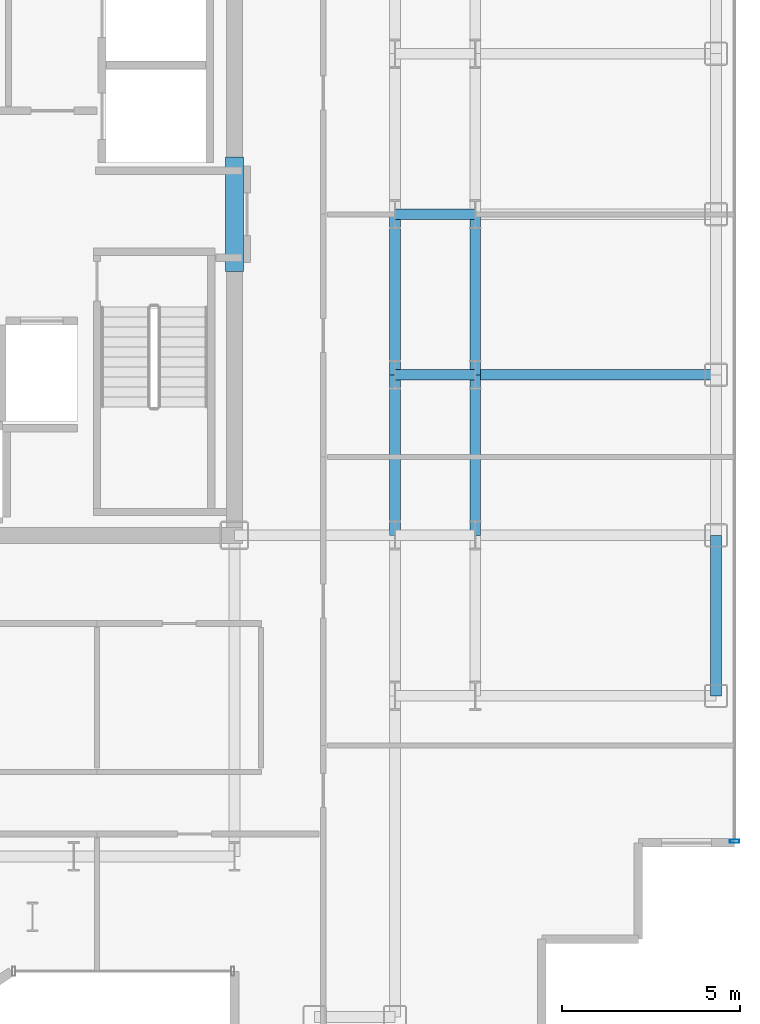
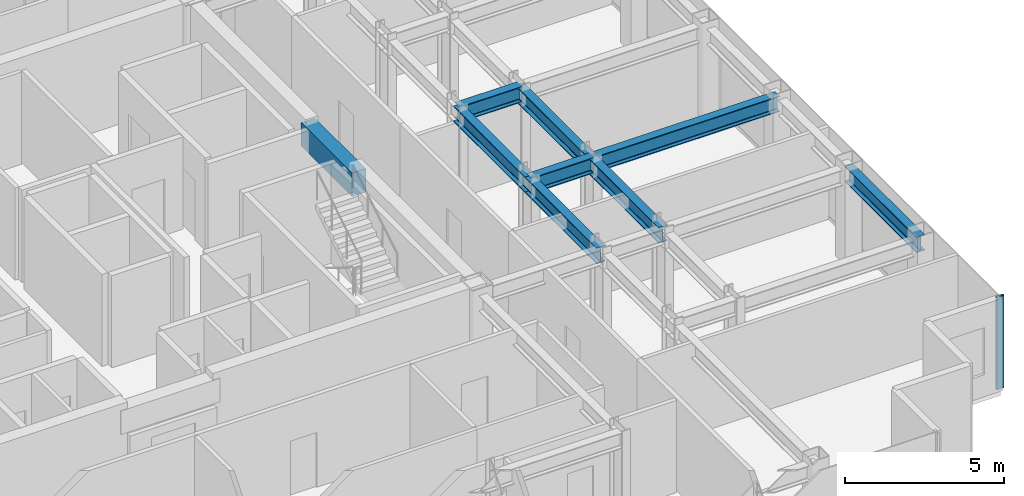
# One storey, part 6 of 20: 9 beams, 1 member, 1 element without a shape of its own.
"""IFC4 building model written with IfcOpenShell, lengths in metres."""

from ifc_helpers import new_model, si_unit, direction, frame, origin, origin_2d, place, context, subcontext, project, spatial, rectangle, hollow_rectangle, i_section, extrude, source, transform, mapped, material, layer, layer_set, material_profile, profile_set, type_object, element, aggregate, save


model = new_model("IFC4")

# Units and contexts
model_context = context("Model", 3, precision=1e-05, world=origin(), true_north=direction((0.0, 1.0)))
body_context = subcontext(model_context, "Body", "Model", "MODEL_VIEW")
ifc_project = project(units=[si_unit("LENGTHUNIT", "METRE"), si_unit("AREAUNIT", "SQUARE_METRE"), si_unit("VOLUMEUNIT", "CUBIC_METRE"), si_unit("PLANEANGLEUNIT", "RADIAN"), si_unit("MASSUNIT", "GRAM", prefix="KILO")], contexts=[model_context])

# Site, building, storey
site_placement = place(None, origin())
site = spatial("IfcSite", under=ifc_project, at=site_placement, CompositionType="ELEMENT")
building_placement = place(site_placement, origin())
building = spatial("IfcBuilding", under=site, at=building_placement, Name="Nefas-Gora Pilgrimage Tower", CompositionType="ELEMENT")
storey_placement = place(building_placement, frame((0.0, 0.0, 214.199951171875)))
storey = spatial("IfcBuildingStorey", under=building, at=storey_placement, Name="L53", CompositionType="ELEMENT", Elevation=214.199951171875)

# Beams
ifc_material_1 = material(Name="Concrete C50/60", Category="concrete")
ifc_material_profile_1 = material_profile(ifc_material_1, rectangle(XDim=0.5, YDim=0.89990234375, at=origin_2d()), Name="RC 500x900")
ifc_profile_set_1 = profile_set([ifc_material_profile_1], Name="Concrete C50/60")
beam_type_1 = type_object("IfcBeamType", Name="BM-LIN-RC900", PredefinedType="LINTEL", material=ifc_profile_set_1)
shared_shape_1 = source(origin(), body_context, "Body", "SweptSolid", [
    extrude(rectangle(XDim=0.5, YDim=0.89990234375, at=origin_2d()), origin(), (0.0, 0.0, 1.0), 3.2001953125),
])
beam_1_placement = place(storey_placement, frame((11.25, -1.60009765625, 3.10009765625), z_axis=(0.0, 1.0, 0.0), x_axis=(-1.0, 0.0, 0.0)))
element("IfcBeam", 1, at=beam_1_placement, inside=storey, type_object=beam_type_1, Name="L53 Core Coupling Lintel Beam E", PredefinedType="LINTEL", context=body_context, shape_type="MappedRepresentation", body=[
    mapped(shared_shape_1, transform((0.0, 0.0, 0.0), x_axis=(1.0, 0.0, 0.0), y_axis=(0.0, 1.0, 0.0), z_axis=(0.0, 0.0, 1.0), scale=1.0)),
])
ifc_material_2 = material(Name="Steel S355", Category="steel")
ifc_material_profile_2 = material_profile(ifc_material_2, i_section(OverallWidth=0.300048828125, OverallDepth=0.60009765625, WebThickness=0.015380859375, FlangeThickness=0.030029296875, FilletRadius=0.027099609375, at=origin_2d()), Name="HEB 600")
ifc_profile_set_2 = profile_set([ifc_material_profile_2], Name="Steel S355")
beam_type_2 = type_object("IfcBeamType", Name="BM-SPN-HEB450", PredefinedType="SPANDREL", material=ifc_profile_set_2)
shared_shape_2 = source(origin(), body_context, "Body", "SweptSolid", [
    extrude(i_section(OverallWidth=0.300048828125, OverallDepth=0.60009765625, WebThickness=0.015380859375, FlangeThickness=0.030029296875, FilletRadius=0.027099609375, at=origin_2d()), origin(), (0.0, 0.0, 1.0), 4.5),
])
beam_2_placement = place(storey_placement, frame((24.75, -13.5, 3.25), z_axis=(0.0, 1.0, 0.0), x_axis=(-1.0, 0.0, 0.0)))
element("IfcBeam", 2, at=beam_2_placement, inside=storey, type_object=beam_type_2, Name="L53 SP-03 beam", PredefinedType="SPANDREL", context=body_context, shape_type="MappedRepresentation", body=[
    mapped(shared_shape_2, transform((0.0, 0.0, 0.0), x_axis=(1.0, 0.0, 0.0), y_axis=(0.0, 1.0, 0.0), z_axis=(0.0, 0.0, 1.0), scale=1.0)),
])
ifc_material_profile_3 = material_profile(ifc_material_2, i_section(OverallWidth=0.300048828125, OverallDepth=0.60009765625, WebThickness=0.015380859375, FlangeThickness=0.030029296875, FilletRadius=0.027099609375, at=origin_2d()), Name="HEB 600")
ifc_profile_set_3 = profile_set([ifc_material_profile_3], Name="Steel S355")
beam_type_3 = type_object("IfcBeamType", Name="BM-GIR-HEB600", PredefinedType="BEAM", material=ifc_profile_set_3)
shared_shape_3 = source(origin(), body_context, "Body", "SweptSolid", [
    extrude(i_section(OverallWidth=0.300048828125, OverallDepth=0.60009765625, WebThickness=0.015380859375, FlangeThickness=0.030029296875, FilletRadius=0.027099609375, at=origin_2d()), origin(), (0.0, 0.0, 1.0), 4.5),
])
for number, where, z_axis, x_axis, name in (
    (3, (15.75, -9.0, 3.25), (0.0, 1.0, 0.0), (-1.0, 0.0, 0.0), "L53 G-04 beam"),
    (4, (15.75, -4.5, 3.25), (0.0, 1.0, 0.0), (-1.0, 0.0, 0.0), "L53 G-04 beam"),
    (5, (18.0, -9.0, 3.25), (0.0, 1.0, 0.0), (-1.0, 0.0, 0.0), "L53 G-04 beam"),
    (6, (18.0, -4.5, 3.25), (0.0, 1.0, 0.0), (-1.0, 0.0, 0.0), "L53 G-04 beam"),
):
    element("IfcBeam", number, at=place(storey_placement, frame(where, z_axis=z_axis, x_axis=x_axis)), inside=storey, type_object=beam_type_3, Name=name, PredefinedType="BEAM", context=body_context, shape_type="MappedRepresentation", body=[
        mapped(shared_shape_3, transform((0.0, 0.0, 0.0), x_axis=(1.0, 0.0, 0.0), y_axis=(0.0, 1.0, 0.0), z_axis=(0.0, 0.0, 1.0), scale=1.0)),
    ])
shared_shape_4 = source(origin(), body_context, "Body", "SweptSolid", [
    extrude(i_section(OverallWidth=0.300048828125, OverallDepth=0.60009765625, WebThickness=0.015380859375, FlangeThickness=0.030029296875, FilletRadius=0.027099609375, at=origin_2d()), origin(), (0.0, 0.0, 1.0), 6.75),
])
beam_3_placement = place(storey_placement, frame((18.0, -4.5, 3.25), z_axis=(1.0, 0.0, 0.0), x_axis=(0.0, 1.0, 0.0)))
element("IfcBeam", 7, at=beam_3_placement, inside=storey, type_object=beam_type_3, Name="L53 G-04 beam", PredefinedType="BEAM", context=body_context, shape_type="MappedRepresentation", body=[
    mapped(shared_shape_4, transform((0.0, 0.0, 0.0), x_axis=(1.0, 0.0, 0.0), y_axis=(0.0, 1.0, 0.0), z_axis=(0.0, 0.0, 1.0), scale=1.0)),
])
shared_shape_5 = source(origin(), body_context, "Body", "SweptSolid", [
    extrude(i_section(OverallWidth=0.300048828125, OverallDepth=0.60009765625, WebThickness=0.015380859375, FlangeThickness=0.030029296875, FilletRadius=0.027099609375, at=origin_2d()), origin(), (0.0, 0.0, 1.0), 2.25),
])
for number, where, z_axis, x_axis, name in (
    (8, (15.75, -4.5, 3.25), (1.0, 0.0, 0.0), (0.0, 1.0, 0.0), "L53 G-04 beam"),
    (9, (15.75, 0.0, 3.25), (1.0, 0.0, 0.0), (0.0, 1.0, 0.0), "L53 G-04 beam"),
):
    element("IfcBeam", number, at=place(storey_placement, frame(where, z_axis=z_axis, x_axis=x_axis)), inside=storey, type_object=beam_type_3, Name=name, PredefinedType="BEAM", context=body_context, shape_type="MappedRepresentation", body=[
        mapped(shared_shape_5, transform((0.0, 0.0, 0.0), x_axis=(1.0, 0.0, 0.0), y_axis=(0.0, 1.0, 0.0), z_axis=(0.0, 0.0, 1.0), scale=1.0)),
    ])

# Curtain wall, member
ifc_material_3 = material(Name="Dark ceramic-fritted solar-control aluminium-glass curtain wall", Category="aluminium")
ifc_layer = layer(ifc_material_3, 0.219970703125)
ifc_layer_set = layer_set([ifc_layer], Name="Dark ceramic-fritted solar-control aluminium-glass curtain wall")
curtain_wall_type = type_object("IfcCurtainWallType", Name="CW-SYS-3", PredefinedType="NOTDEFINED", material=ifc_layer_set)
curtain_wall_placement = place(storey_placement, origin())
curtain_wall = element("IfcCurtainWall", 10, at=curtain_wall_placement, inside=storey, type_object=curtain_wall_type, Name="L53 Unitised Curtain Wall CW3", PredefinedType="NOTDEFINED")
ifc_material_4 = material(Name="Anodised architectural aluminium", Category="aluminium")
ifc_material_profile_4 = material_profile(ifc_material_4, hollow_rectangle(XDim=0.090087890625, YDim=0.260009765625, WallThickness=0.006103515625, InnerFilletRadius=0.006103515625, OuterFilletRadius=0.011962890625, at=origin_2d()), Name="ALU MULLION 90x260")
ifc_profile_set_4 = profile_set([ifc_material_profile_4], Name="Anodised architectural aluminium")
member_type = type_object("IfcMemberType", Name="CWM-MUL-3", PredefinedType="MULLION", material=ifc_profile_set_4)
shared_shape_6 = source(origin(), body_context, "Body", "SweptSolid", [
    extrude(hollow_rectangle(XDim=0.090087890625, YDim=0.260009765625, WallThickness=0.006103515625, InnerFilletRadius=0.006103515625, OuterFilletRadius=0.011962890625, at=origin_2d()), origin(), (0.0, 0.0, 1.0), 3.550048828125),
])
member_placement = place(storey_placement, frame((25.27001953125, -17.574951171875, 0.0), z_axis=(0.0, 0.0, 1.0), x_axis=(0.0, 1.0, 0.0)))
member = element("IfcMember", 11, at=member_placement, type_object=member_type, Name="CW3 Mullion 1", PredefinedType="MULLION", context=body_context, shape_type="MappedRepresentation", body=[
    mapped(shared_shape_6, transform((0.0, 0.0, 0.0), x_axis=(1.0, 0.0, 0.0), y_axis=(0.0, 1.0, 0.0), z_axis=(0.0, 0.0, 1.0), scale=1.0)),
])
aggregate(curtain_wall, [member])

save(model, "model.ifc")
